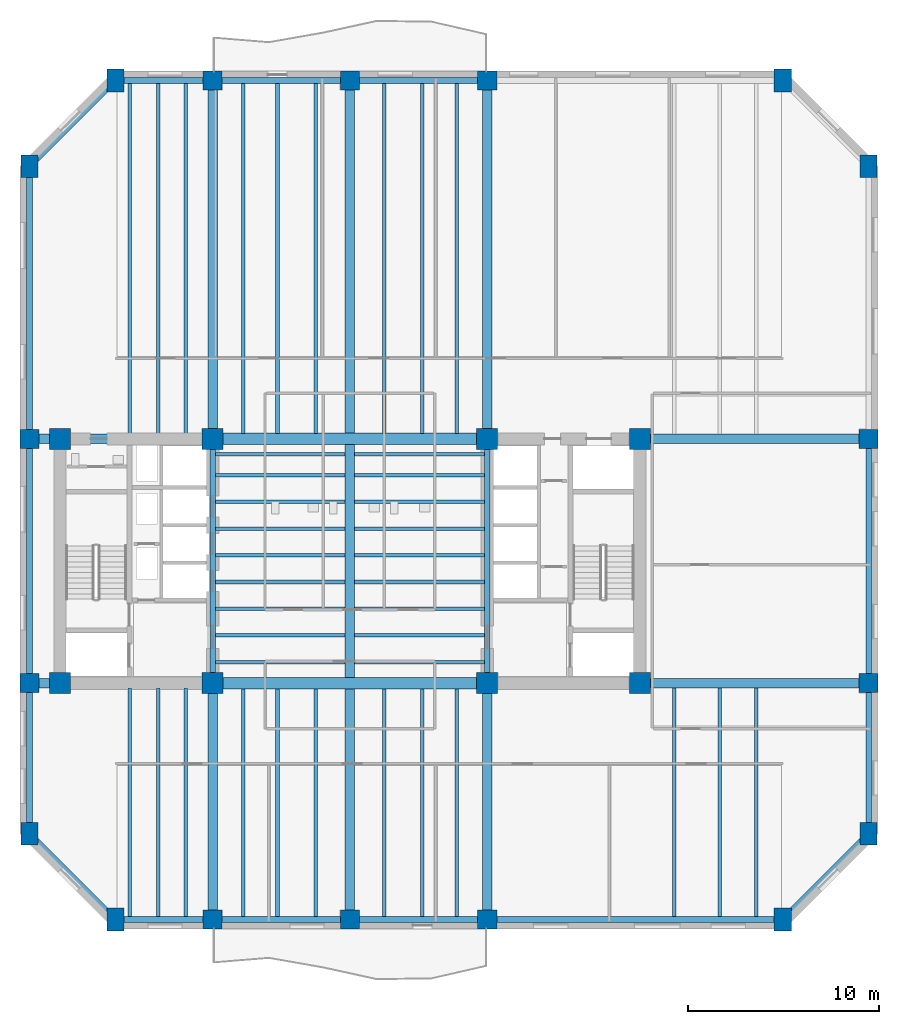
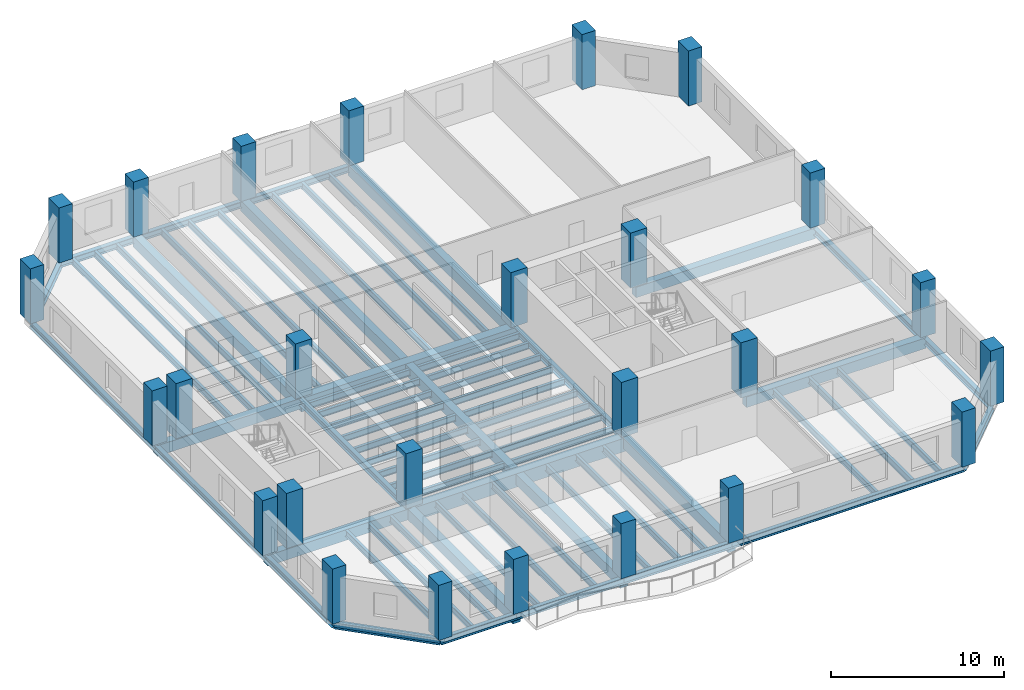
# One storey, part 1 of 8: 69 beams, 26 columns.
"""IFC4 building model written with IfcOpenShell, lengths in metres."""

from ifc_helpers import new_model, si_unit, direction, frame, origin, origin_2d, place, context, subcontext, project, spatial, rectangle, i_section, extrude, material, material_profile, profile_set, type_object, element, save


model = new_model("IFC4")

# Units and contexts
model_context = context("Model", 3, precision=1e-05, world=origin(), true_north=direction((0.0, 1.0)))
body_context = subcontext(model_context, "Body", "Model", "MODEL_VIEW")
ifc_project = project(units=[si_unit("LENGTHUNIT", "METRE"), si_unit("AREAUNIT", "SQUARE_METRE"), si_unit("VOLUMEUNIT", "CUBIC_METRE"), si_unit("PLANEANGLEUNIT", "RADIAN"), si_unit("MASSUNIT", "GRAM", prefix="KILO")], contexts=[model_context])

# Site, building, storey
site_placement = place(None, origin())
site = spatial("IfcSite", under=ifc_project, at=site_placement, CompositionType="ELEMENT")
building_placement = place(site_placement, origin())
building = spatial("IfcBuilding", under=site, at=building_placement, Name="Kranthara Brick Stack", CompositionType="ELEMENT")
storey_placement = place(building_placement, frame((0.0, 0.0, 82.800048828125)))
storey = spatial("IfcBuildingStorey", under=building, at=storey_placement, Name="L20", CompositionType="ELEMENT", Elevation=82.800048828125)

# Columns
ifc_material_1 = material(Name="Concrete C70/85", Category="concrete")
ifc_material_profile_1 = material_profile(ifc_material_1, rectangle(XDim=0.89990234375, YDim=1.199951171875, at=origin_2d()), Name="RC 900x1200")
ifc_profile_set_1 = profile_set([ifc_material_profile_1], Name="Concrete C70/85")
column_type_1 = type_object("IfcColumnType", Name="COL-CHAM-900x1200", PredefinedType="COLUMN", material=ifc_profile_set_1)
for number, where, z_axis, x_axis, name in (
    (1, (15.699951171875, 8.39990234375, 0.0), (0.0, 0.0, 1.0), (1.0, 0.0, 0.0), "L20 Column 09"),
    (2, (15.699951171875, 52.39990234375, 0.0), (0.0, 0.0, 1.0), (1.0, 0.0, 0.0), "L20 Column 10"),
    (3, (50.699951171875, 8.39990234375, 0.0), (0.0, 0.0, 1.0), (1.0, 0.0, 0.0), "L20 Column 17"),
    (4, (50.699951171875, 52.39990234375, 0.0), (0.0, 0.0, 1.0), (1.0, 0.0, 0.0), "L20 Column 18"),
    (5, (11.199951171875, 12.89990234375, 0.0), (0.0, 0.0, 1.0), (1.0, 0.0, 0.0), "L20 Column 19"),
    (6, (55.199951171875, 12.89990234375, 0.0), (0.0, 0.0, 1.0), (1.0, 0.0, 0.0), "L20 Column 20"),
    (7, (11.199951171875, 47.89990234375, 0.0), (0.0, 0.0, 1.0), (1.0, 0.0, 0.0), "L20 Column 25"),
    (8, (55.199951171875, 47.89990234375, 0.0), (0.0, 0.0, 1.0), (1.0, 0.0, 0.0), "L20 Column 26"),
):
    element("IfcColumn", number, at=place(storey_placement, frame(where, z_axis=z_axis, x_axis=x_axis)), inside=storey, type_object=column_type_1, Name=name, PredefinedType="COLUMN", context=body_context, shape_type="SweptSolid", body=[
        extrude(rectangle(XDim=0.89990234375, YDim=1.199951171875, at=origin_2d()), origin(), (0.0, 0.0, 1.0), 3.89990234375),
    ])
ifc_material_2 = material(Name="Concrete C70/85", Category="concrete")
ifc_material_profile_2 = material_profile(ifc_material_2, rectangle(XDim=1.10009765625, YDim=1.10009765625, at=origin_2d()), Name="RC 1100x1100")
ifc_profile_set_2 = profile_set([ifc_material_profile_2], Name="Concrete C70/85")
column_type_2 = type_object("IfcColumnType", Name="COL-CORE-1100", PredefinedType="COLUMN", material=ifc_profile_set_2)
for number, where, z_axis, x_axis, name in (
    (9, (12.800048828125, 20.800048828125, 0.0), (0.0, 0.0, 1.0), (1.0, 0.0, 0.0), "L20 Column 01"),
    (10, (20.800048828125, 20.800048828125, 0.0), (0.0, 0.0, 1.0), (1.0, 0.0, 0.0), "L20 Column 02"),
    (11, (12.800048828125, 33.60009765625, 0.0), (0.0, 0.0, 1.0), (1.0, 0.0, 0.0), "L20 Column 03"),
    (12, (20.800048828125, 33.60009765625, 0.0), (0.0, 0.0, 1.0), (1.0, 0.0, 0.0), "L20 Column 04"),
    (13, (35.199951171875, 20.800048828125, 0.0), (0.0, 0.0, 1.0), (1.0, 0.0, 0.0), "L20 Column 05"),
    (14, (43.199951171875, 20.800048828125, 0.0), (0.0, 0.0, 1.0), (1.0, 0.0, 0.0), "L20 Column 06"),
    (15, (35.199951171875, 33.60009765625, 0.0), (0.0, 0.0, 1.0), (1.0, 0.0, 0.0), "L20 Column 07"),
    (16, (43.199951171875, 33.60009765625, 0.0), (0.0, 0.0, 1.0), (1.0, 0.0, 0.0), "L20 Column 08"),
):
    element("IfcColumn", number, at=place(storey_placement, frame(where, z_axis=z_axis, x_axis=x_axis)), inside=storey, type_object=column_type_2, Name=name, PredefinedType="COLUMN", context=body_context, shape_type="SweptSolid", body=[
        extrude(rectangle(XDim=1.10009765625, YDim=1.10009765625, at=origin_2d()), origin(), (0.0, 0.0, 1.0), 3.89990234375),
    ])
ifc_material_3 = material(Name="Concrete C60/75", Category="concrete")
ifc_material_profile_3 = material_profile(ifc_material_3, rectangle(XDim=1.0, YDim=1.0, at=origin_2d()), Name="RC 1000x1000")
ifc_profile_set_3 = profile_set([ifc_material_profile_3], Name="Concrete C60/75")
column_type_3 = type_object("IfcColumnType", Name="COL-PER-1000", PredefinedType="COLUMN", material=ifc_profile_set_3)
for number, where, z_axis, x_axis, name in (
    (17, (20.800048828125, 8.39990234375, 0.0), (0.0, 0.0, 1.0), (1.0, 0.0, 0.0), "L20 Column 11"),
    (18, (20.800048828125, 52.39990234375, 0.0), (0.0, 0.0, 1.0), (1.0, 0.0, 0.0), "L20 Column 12"),
    (19, (28.0, 8.39990234375, 0.0), (0.0, 0.0, 1.0), (1.0, 0.0, 0.0), "L20 Column 13"),
    (20, (28.0, 52.39990234375, 0.0), (0.0, 0.0, 1.0), (1.0, 0.0, 0.0), "L20 Column 14"),
    (21, (35.199951171875, 8.39990234375, 0.0), (0.0, 0.0, 1.0), (1.0, 0.0, 0.0), "L20 Column 15"),
    (22, (35.199951171875, 52.39990234375, 0.0), (0.0, 0.0, 1.0), (1.0, 0.0, 0.0), "L20 Column 16"),
    (23, (11.199951171875, 20.800048828125, 0.0), (0.0, 0.0, 1.0), (1.0, 0.0, 0.0), "L20 Column 21"),
    (24, (55.199951171875, 20.800048828125, 0.0), (0.0, 0.0, 1.0), (1.0, 0.0, 0.0), "L20 Column 22"),
    (25, (11.199951171875, 33.60009765625, 0.0), (0.0, 0.0, 1.0), (1.0, 0.0, 0.0), "L20 Column 23"),
    (26, (55.199951171875, 33.60009765625, 0.0), (0.0, 0.0, 1.0), (1.0, 0.0, 0.0), "L20 Column 24"),
):
    element("IfcColumn", number, at=place(storey_placement, frame(where, z_axis=z_axis, x_axis=x_axis)), inside=storey, type_object=column_type_3, Name=name, PredefinedType="COLUMN", context=body_context, shape_type="SweptSolid", body=[
        extrude(rectangle(XDim=1.0, YDim=1.0, at=origin_2d()), origin(), (0.0, 0.0, 1.0), 3.89990234375),
    ])

# Beams
ifc_material_4 = material(Name="Concrete C60/75", Category="concrete")
ifc_material_profile_4 = material_profile(ifc_material_4, rectangle(XDim=0.60009765625, YDim=0.949951171875, at=origin_2d()), Name="RC 600x950")
ifc_profile_set_4 = profile_set([ifc_material_profile_4], Name="Concrete C60/75")
beam_type_1 = type_object("IfcBeamType", Name="BM-CPL-RC950", PredefinedType="LINTEL", material=ifc_profile_set_4)
for number, where, z_axis, x_axis, name in (
    (27, (20.800048828125, 20.800048828125, -0.775146484375), (1.0, 0.0, 0.0), (0.0, 1.0, 0.0), "L20 Core Coupling Beam 001"),
    (28, (20.800048828125, 33.60009765625, -0.775146484375), (1.0, 0.0, 0.0), (0.0, 1.0, 0.0), "L20 Core Coupling Beam 002"),
):
    element("IfcBeam", number, at=place(storey_placement, frame(where, z_axis=z_axis, x_axis=x_axis)), inside=storey, type_object=beam_type_1, Name=name, PredefinedType="LINTEL", context=body_context, shape_type="SweptSolid", body=[
        extrude(rectangle(XDim=0.60009765625, YDim=0.949951171875, at=origin_2d()), origin(), (0.0, 0.0, 1.0), 14.39990234375),
    ])
ifc_material_5 = material(Name="Post-tensioned concrete C45/55", Category="concrete")
ifc_material_profile_5 = material_profile(ifc_material_5, rectangle(XDim=0.5, YDim=0.75, at=origin_2d()), Name="PT 500x750")
ifc_profile_set_5 = profile_set([ifc_material_profile_5], Name="Post-tensioned concrete C45/55")
beam_type_2 = type_object("IfcBeamType", Name="BM-FLR-PT750", PredefinedType="BEAM", material=ifc_profile_set_5)
beam_1_placement = place(storey_placement, frame((20.800048828125, 8.39990234375, -0.675048828125), z_axis=(0.0, 1.0, 0.0), x_axis=(-1.0, 0.0, 0.0)))
element("IfcBeam", 29, at=beam_1_placement, inside=storey, type_object=beam_type_2, Name="L20 Primary Grid Girder 023", PredefinedType="BEAM", context=body_context, shape_type="SweptSolid", body=[
    extrude(rectangle(XDim=0.5, YDim=0.75, at=origin_2d()), origin(), (0.0, 0.0, 1.0), 12.400146484375),
])
beam_2_placement = place(storey_placement, frame((20.800048828125, 33.60009765625, -0.675048828125), z_axis=(0.0, 1.0, 0.0), x_axis=(-1.0, 0.0, 0.0)))
element("IfcBeam", 30, at=beam_2_placement, inside=storey, type_object=beam_type_2, Name="L20 Primary Grid Girder 024", PredefinedType="BEAM", context=body_context, shape_type="SweptSolid", body=[
    extrude(rectangle(XDim=0.5, YDim=0.75, at=origin_2d()), origin(), (0.0, 0.0, 1.0), 18.7998046875),
])
beam_3_placement = place(storey_placement, frame((28.0, 8.39990234375, -0.675048828125), z_axis=(0.0, 1.0, 0.0), x_axis=(-1.0, 0.0, 0.0)))
element("IfcBeam", 31, at=beam_3_placement, inside=storey, type_object=beam_type_2, Name="L20 Primary Grid Girder 025", PredefinedType="BEAM", context=body_context, shape_type="SweptSolid", body=[
    extrude(rectangle(XDim=0.5, YDim=0.75, at=origin_2d()), origin(), (0.0, 0.0, 1.0), 12.10009765625),
])
beam_4_placement = place(storey_placement, frame((28.0, 21.10009765625, -0.675048828125), z_axis=(0.0, 1.0, 0.0), x_axis=(-1.0, 0.0, 0.0)))
element("IfcBeam", 32, at=beam_4_placement, inside=storey, type_object=beam_type_2, Name="L20 Central Spine Girder 026", PredefinedType="BEAM", context=body_context, shape_type="SweptSolid", body=[
    extrude(rectangle(XDim=0.5, YDim=0.75, at=origin_2d()), origin(), (0.0, 0.0, 1.0), 12.199951171875),
])
beam_5_placement = place(storey_placement, frame((28.0, 33.89990234375, -0.675048828125), z_axis=(0.0, 1.0, 0.0), x_axis=(-1.0, 0.0, 0.0)))
element("IfcBeam", 33, at=beam_5_placement, inside=storey, type_object=beam_type_2, Name="L20 Primary Grid Girder 027", PredefinedType="BEAM", context=body_context, shape_type="SweptSolid", body=[
    extrude(rectangle(XDim=0.5, YDim=0.75, at=origin_2d()), origin(), (0.0, 0.0, 1.0), 18.5),
])
beam_6_placement = place(storey_placement, frame((35.199951171875, 8.39990234375, -0.675048828125), z_axis=(0.0, 1.0, 0.0), x_axis=(-1.0, 0.0, 0.0)))
element("IfcBeam", 34, at=beam_6_placement, inside=storey, type_object=beam_type_2, Name="L20 Primary Grid Girder 028", PredefinedType="BEAM", context=body_context, shape_type="SweptSolid", body=[
    extrude(rectangle(XDim=0.5, YDim=0.75, at=origin_2d()), origin(), (0.0, 0.0, 1.0), 12.400146484375),
])
beam_7_placement = place(storey_placement, frame((35.199951171875, 33.60009765625, -0.675048828125), z_axis=(0.0, 1.0, 0.0), x_axis=(-1.0, 0.0, 0.0)))
element("IfcBeam", 35, at=beam_7_placement, inside=storey, type_object=beam_type_2, Name="L20 Primary Grid Girder 029", PredefinedType="BEAM", context=body_context, shape_type="SweptSolid", body=[
    extrude(rectangle(XDim=0.5, YDim=0.75, at=origin_2d()), origin(), (0.0, 0.0, 1.0), 18.7998046875),
])
beam_8_placement = place(storey_placement, frame((11.199951171875, 20.800048828125, -0.675048828125), z_axis=(1.0, 0.0, 0.0), x_axis=(0.0, 1.0, 0.0)))
element("IfcBeam", 36, at=beam_8_placement, inside=storey, type_object=beam_type_2, Name="L20 Primary Grid Girder 030", PredefinedType="BEAM", context=body_context, shape_type="SweptSolid", body=[
    extrude(rectangle(XDim=0.5, YDim=0.75, at=origin_2d()), origin(), (0.0, 0.0, 1.0), 9.60009765625),
])
beam_9_placement = place(storey_placement, frame((43.199951171875, 20.800048828125, -0.675048828125), z_axis=(1.0, 0.0, 0.0), x_axis=(0.0, 1.0, 0.0)))
element("IfcBeam", 37, at=beam_9_placement, inside=storey, type_object=beam_type_2, Name="L20 Primary Grid Girder 031", PredefinedType="BEAM", context=body_context, shape_type="SweptSolid", body=[
    extrude(rectangle(XDim=0.5, YDim=0.75, at=origin_2d()), origin(), (0.0, 0.0, 1.0), 12.0),
])
beam_10_placement = place(storey_placement, frame((11.199951171875, 33.60009765625, -0.675048828125), z_axis=(1.0, 0.0, 0.0), x_axis=(0.0, 1.0, 0.0)))
element("IfcBeam", 38, at=beam_10_placement, inside=storey, type_object=beam_type_2, Name="L20 Primary Grid Girder 032", PredefinedType="BEAM", context=body_context, shape_type="SweptSolid", body=[
    extrude(rectangle(XDim=0.5, YDim=0.75, at=origin_2d()), origin(), (0.0, 0.0, 1.0), 9.60009765625),
])
beam_11_placement = place(storey_placement, frame((43.199951171875, 33.60009765625, -0.675048828125), z_axis=(1.0, 0.0, 0.0), x_axis=(0.0, 1.0, 0.0)))
element("IfcBeam", 39, at=beam_11_placement, inside=storey, type_object=beam_type_2, Name="L20 Primary Grid Girder 033", PredefinedType="BEAM", context=body_context, shape_type="SweptSolid", body=[
    extrude(rectangle(XDim=0.5, YDim=0.75, at=origin_2d()), origin(), (0.0, 0.0, 1.0), 12.0),
])
ifc_material_6 = material(Name="Steel S355", Category="steel")
ifc_material_profile_6 = material_profile(ifc_material_6, i_section(OverallWidth=0.18994140625, OverallDepth=0.449951171875, WebThickness=0.009521484375, FlangeThickness=0.0146484375, at=origin_2d()), Name="IPE 450")
ifc_profile_set_6 = profile_set([ifc_material_profile_6], Name="Steel S355")
beam_type_3 = type_object("IfcBeamType", Name="BM-JST-IPE450", PredefinedType="JOIST", material=ifc_profile_set_6)
for number, where, z_axis, x_axis, name in (
    (40, (20.949951171875, 21.89990234375, -0.525146484375), (1.0, 0.0, 0.0), (0.0, 1.0, 0.0), "L20 Central Floor Joist 034"),
    (41, (28.25, 21.89990234375, -0.525146484375), (1.0, 0.0, 0.0), (0.0, 1.0, 0.0), "L20 Central Floor Joist 035"),
    (42, (20.949951171875, 23.300048828125, -0.525146484375), (1.0, 0.0, 0.0), (0.0, 1.0, 0.0), "L20 Central Floor Joist 036"),
    (43, (28.25, 23.300048828125, -0.525146484375), (1.0, 0.0, 0.0), (0.0, 1.0, 0.0), "L20 Central Floor Joist 037"),
    (44, (20.949951171875, 24.699951171875, -0.525146484375), (1.0, 0.0, 0.0), (0.0, 1.0, 0.0), "L20 Central Floor Joist 038"),
    (45, (28.25, 24.699951171875, -0.525146484375), (1.0, 0.0, 0.0), (0.0, 1.0, 0.0), "L20 Central Floor Joist 039"),
    (46, (20.949951171875, 26.10009765625, -0.525146484375), (1.0, 0.0, 0.0), (0.0, 1.0, 0.0), "L20 Central Floor Joist 040"),
    (47, (28.25, 26.10009765625, -0.525146484375), (1.0, 0.0, 0.0), (0.0, 1.0, 0.0), "L20 Central Floor Joist 041"),
    (48, (20.949951171875, 27.5, -0.525146484375), (1.0, 0.0, 0.0), (0.0, 1.0, 0.0), "L20 Central Floor Joist 042"),
    (49, (28.25, 27.5, -0.525146484375), (1.0, 0.0, 0.0), (0.0, 1.0, 0.0), "L20 Central Floor Joist 043"),
    (50, (20.949951171875, 28.89990234375, -0.525146484375), (1.0, 0.0, 0.0), (0.0, 1.0, 0.0), "L20 Central Floor Joist 044"),
    (51, (28.25, 28.89990234375, -0.525146484375), (1.0, 0.0, 0.0), (0.0, 1.0, 0.0), "L20 Central Floor Joist 045"),
    (52, (20.949951171875, 30.300048828125, -0.525146484375), (1.0, 0.0, 0.0), (0.0, 1.0, 0.0), "L20 Central Floor Joist 046"),
    (53, (28.25, 30.300048828125, -0.525146484375), (1.0, 0.0, 0.0), (0.0, 1.0, 0.0), "L20 Central Floor Joist 047"),
    (54, (20.949951171875, 31.699951171875, -0.525146484375), (1.0, 0.0, 0.0), (0.0, 1.0, 0.0), "L20 Central Floor Joist 048"),
    (55, (28.25, 31.699951171875, -0.525146484375), (1.0, 0.0, 0.0), (0.0, 1.0, 0.0), "L20 Central Floor Joist 049"),
    (56, (20.949951171875, 32.800048828125, -0.525146484375), (1.0, 0.0, 0.0), (0.0, 1.0, 0.0), "L20 Central Floor Joist 050"),
    (57, (28.25, 32.800048828125, -0.525146484375), (1.0, 0.0, 0.0), (0.0, 1.0, 0.0), "L20 Central Floor Joist 051"),
):
    element("IfcBeam", number, at=place(storey_placement, frame(where, z_axis=z_axis, x_axis=x_axis)), inside=storey, type_object=beam_type_3, Name=name, PredefinedType="JOIST", context=body_context, shape_type="SweptSolid", body=[
        extrude(i_section(OverallWidth=0.18994140625, OverallDepth=0.449951171875, WebThickness=0.009521484375, FlangeThickness=0.0146484375, at=origin_2d()), origin(), (0.0, 0.0, 1.0), 6.800048828125),
    ])
beam_12_placement = place(storey_placement, frame((16.449951171875, 8.550048828125, -0.525146484375), z_axis=(0.0, 1.0, 0.0), x_axis=(-1.0, 0.0, 0.0)))
element("IfcBeam", 58, at=beam_12_placement, inside=storey, type_object=beam_type_3, Name="L20 South Wing Floor Joist 052", PredefinedType="JOIST", context=body_context, shape_type="SweptSolid", body=[
    extrude(i_section(OverallWidth=0.18994140625, OverallDepth=0.449951171875, WebThickness=0.009521484375, FlangeThickness=0.0146484375, at=origin_2d()), origin(), (0.0, 0.0, 1.0), 12.0),
])
beam_13_placement = place(storey_placement, frame((16.449951171875, 33.85009765625, -0.525146484375), z_axis=(0.0, 1.0, 0.0), x_axis=(-1.0, 0.0, 0.0)))
element("IfcBeam", 59, at=beam_13_placement, inside=storey, type_object=beam_type_3, Name="L20 North Wing Floor Joist 053", PredefinedType="JOIST", context=body_context, shape_type="SweptSolid", body=[
    extrude(i_section(OverallWidth=0.18994140625, OverallDepth=0.449951171875, WebThickness=0.009521484375, FlangeThickness=0.0146484375, at=origin_2d()), origin(), (0.0, 0.0, 1.0), 18.39990234375),
])
beam_14_placement = place(storey_placement, frame((17.949951171875, 8.550048828125, -0.525146484375), z_axis=(0.0, 1.0, 0.0), x_axis=(-1.0, 0.0, 0.0)))
element("IfcBeam", 60, at=beam_14_placement, inside=storey, type_object=beam_type_3, Name="L20 South Wing Floor Joist 054", PredefinedType="JOIST", context=body_context, shape_type="SweptSolid", body=[
    extrude(i_section(OverallWidth=0.18994140625, OverallDepth=0.449951171875, WebThickness=0.009521484375, FlangeThickness=0.0146484375, at=origin_2d()), origin(), (0.0, 0.0, 1.0), 12.0),
])
beam_15_placement = place(storey_placement, frame((17.949951171875, 33.85009765625, -0.525146484375), z_axis=(0.0, 1.0, 0.0), x_axis=(-1.0, 0.0, 0.0)))
element("IfcBeam", 61, at=beam_15_placement, inside=storey, type_object=beam_type_3, Name="L20 North Wing Floor Joist 055", PredefinedType="JOIST", context=body_context, shape_type="SweptSolid", body=[
    extrude(i_section(OverallWidth=0.18994140625, OverallDepth=0.449951171875, WebThickness=0.009521484375, FlangeThickness=0.0146484375, at=origin_2d()), origin(), (0.0, 0.0, 1.0), 18.39990234375),
])
beam_16_placement = place(storey_placement, frame((19.39990234375, 8.550048828125, -0.525146484375), z_axis=(0.0, 1.0, 0.0), x_axis=(-1.0, 0.0, 0.0)))
element("IfcBeam", 62, at=beam_16_placement, inside=storey, type_object=beam_type_3, Name="L20 South Wing Floor Joist 056", PredefinedType="JOIST", context=body_context, shape_type="SweptSolid", body=[
    extrude(i_section(OverallWidth=0.18994140625, OverallDepth=0.449951171875, WebThickness=0.009521484375, FlangeThickness=0.0146484375, at=origin_2d()), origin(), (0.0, 0.0, 1.0), 12.0),
])
beam_17_placement = place(storey_placement, frame((19.39990234375, 33.85009765625, -0.525146484375), z_axis=(0.0, 1.0, 0.0), x_axis=(-1.0, 0.0, 0.0)))
element("IfcBeam", 63, at=beam_17_placement, inside=storey, type_object=beam_type_3, Name="L20 North Wing Floor Joist 057", PredefinedType="JOIST", context=body_context, shape_type="SweptSolid", body=[
    extrude(i_section(OverallWidth=0.18994140625, OverallDepth=0.449951171875, WebThickness=0.009521484375, FlangeThickness=0.0146484375, at=origin_2d()), origin(), (0.0, 0.0, 1.0), 18.39990234375),
])
beam_18_placement = place(storey_placement, frame((22.39990234375, 8.550048828125, -0.525146484375), z_axis=(0.0, 1.0, 0.0), x_axis=(-1.0, 0.0, 0.0)))
element("IfcBeam", 64, at=beam_18_placement, inside=storey, type_object=beam_type_3, Name="L20 South Wing Floor Joist 058", PredefinedType="JOIST", context=body_context, shape_type="SweptSolid", body=[
    extrude(i_section(OverallWidth=0.18994140625, OverallDepth=0.449951171875, WebThickness=0.009521484375, FlangeThickness=0.0146484375, at=origin_2d()), origin(), (0.0, 0.0, 1.0), 11.949951171875),
])
beam_19_placement = place(storey_placement, frame((22.39990234375, 33.89990234375, -0.525146484375), z_axis=(0.0, 1.0, 0.0), x_axis=(-1.0, 0.0, 0.0)))
element("IfcBeam", 65, at=beam_19_placement, inside=storey, type_object=beam_type_3, Name="L20 North Wing Floor Joist 059", PredefinedType="JOIST", context=body_context, shape_type="SweptSolid", body=[
    extrude(i_section(OverallWidth=0.18994140625, OverallDepth=0.449951171875, WebThickness=0.009521484375, FlangeThickness=0.0146484375, at=origin_2d()), origin(), (0.0, 0.0, 1.0), 18.35009765625),
])
beam_20_placement = place(storey_placement, frame((24.199951171875, 8.550048828125, -0.525146484375), z_axis=(0.0, 1.0, 0.0), x_axis=(-1.0, 0.0, 0.0)))
element("IfcBeam", 66, at=beam_20_placement, inside=storey, type_object=beam_type_3, Name="L20 South Wing Floor Joist 060", PredefinedType="JOIST", context=body_context, shape_type="SweptSolid", body=[
    extrude(i_section(OverallWidth=0.18994140625, OverallDepth=0.449951171875, WebThickness=0.009521484375, FlangeThickness=0.0146484375, at=origin_2d()), origin(), (0.0, 0.0, 1.0), 11.949951171875),
])
beam_21_placement = place(storey_placement, frame((24.199951171875, 33.89990234375, -0.525146484375), z_axis=(0.0, 1.0, 0.0), x_axis=(-1.0, 0.0, 0.0)))
element("IfcBeam", 67, at=beam_21_placement, inside=storey, type_object=beam_type_3, Name="L20 North Wing Floor Joist 061", PredefinedType="JOIST", context=body_context, shape_type="SweptSolid", body=[
    extrude(i_section(OverallWidth=0.18994140625, OverallDepth=0.449951171875, WebThickness=0.009521484375, FlangeThickness=0.0146484375, at=origin_2d()), origin(), (0.0, 0.0, 1.0), 18.35009765625),
])
beam_22_placement = place(storey_placement, frame((26.199951171875, 8.550048828125, -0.525146484375), z_axis=(0.0, 1.0, 0.0), x_axis=(-1.0, 0.0, 0.0)))
element("IfcBeam", 68, at=beam_22_placement, inside=storey, type_object=beam_type_3, Name="L20 South Wing Floor Joist 062", PredefinedType="JOIST", context=body_context, shape_type="SweptSolid", body=[
    extrude(i_section(OverallWidth=0.18994140625, OverallDepth=0.449951171875, WebThickness=0.009521484375, FlangeThickness=0.0146484375, at=origin_2d()), origin(), (0.0, 0.0, 1.0), 11.949951171875),
])
beam_23_placement = place(storey_placement, frame((26.199951171875, 33.89990234375, -0.525146484375), z_axis=(0.0, 1.0, 0.0), x_axis=(-1.0, 0.0, 0.0)))
element("IfcBeam", 69, at=beam_23_placement, inside=storey, type_object=beam_type_3, Name="L20 North Wing Floor Joist 063", PredefinedType="JOIST", context=body_context, shape_type="SweptSolid", body=[
    extrude(i_section(OverallWidth=0.18994140625, OverallDepth=0.449951171875, WebThickness=0.009521484375, FlangeThickness=0.0146484375, at=origin_2d()), origin(), (0.0, 0.0, 1.0), 18.35009765625),
])
beam_24_placement = place(storey_placement, frame((29.800048828125, 8.550048828125, -0.525146484375), z_axis=(0.0, 1.0, 0.0), x_axis=(-1.0, 0.0, 0.0)))
element("IfcBeam", 70, at=beam_24_placement, inside=storey, type_object=beam_type_3, Name="L20 South Wing Floor Joist 064", PredefinedType="JOIST", context=body_context, shape_type="SweptSolid", body=[
    extrude(i_section(OverallWidth=0.18994140625, OverallDepth=0.449951171875, WebThickness=0.009521484375, FlangeThickness=0.0146484375, at=origin_2d()), origin(), (0.0, 0.0, 1.0), 11.949951171875),
])
beam_25_placement = place(storey_placement, frame((29.800048828125, 33.89990234375, -0.525146484375), z_axis=(0.0, 1.0, 0.0), x_axis=(-1.0, 0.0, 0.0)))
element("IfcBeam", 71, at=beam_25_placement, inside=storey, type_object=beam_type_3, Name="L20 North Wing Floor Joist 065", PredefinedType="JOIST", context=body_context, shape_type="SweptSolid", body=[
    extrude(i_section(OverallWidth=0.18994140625, OverallDepth=0.449951171875, WebThickness=0.009521484375, FlangeThickness=0.0146484375, at=origin_2d()), origin(), (0.0, 0.0, 1.0), 18.35009765625),
])
beam_26_placement = place(storey_placement, frame((31.800048828125, 8.550048828125, -0.525146484375), z_axis=(0.0, 1.0, 0.0), x_axis=(-1.0, 0.0, 0.0)))
element("IfcBeam", 72, at=beam_26_placement, inside=storey, type_object=beam_type_3, Name="L20 South Wing Floor Joist 066", PredefinedType="JOIST", context=body_context, shape_type="SweptSolid", body=[
    extrude(i_section(OverallWidth=0.18994140625, OverallDepth=0.449951171875, WebThickness=0.009521484375, FlangeThickness=0.0146484375, at=origin_2d()), origin(), (0.0, 0.0, 1.0), 11.949951171875),
])
beam_27_placement = place(storey_placement, frame((31.800048828125, 33.89990234375, -0.525146484375), z_axis=(0.0, 1.0, 0.0), x_axis=(-1.0, 0.0, 0.0)))
element("IfcBeam", 73, at=beam_27_placement, inside=storey, type_object=beam_type_3, Name="L20 North Wing Floor Joist 067", PredefinedType="JOIST", context=body_context, shape_type="SweptSolid", body=[
    extrude(i_section(OverallWidth=0.18994140625, OverallDepth=0.449951171875, WebThickness=0.009521484375, FlangeThickness=0.0146484375, at=origin_2d()), origin(), (0.0, 0.0, 1.0), 18.35009765625),
])
beam_28_placement = place(storey_placement, frame((33.60009765625, 8.550048828125, -0.525146484375), z_axis=(0.0, 1.0, 0.0), x_axis=(-1.0, 0.0, 0.0)))
element("IfcBeam", 74, at=beam_28_placement, inside=storey, type_object=beam_type_3, Name="L20 South Wing Floor Joist 068", PredefinedType="JOIST", context=body_context, shape_type="SweptSolid", body=[
    extrude(i_section(OverallWidth=0.18994140625, OverallDepth=0.449951171875, WebThickness=0.009521484375, FlangeThickness=0.0146484375, at=origin_2d()), origin(), (0.0, 0.0, 1.0), 11.949951171875),
])
beam_29_placement = place(storey_placement, frame((33.60009765625, 33.89990234375, -0.525146484375), z_axis=(0.0, 1.0, 0.0), x_axis=(-1.0, 0.0, 0.0)))
element("IfcBeam", 75, at=beam_29_placement, inside=storey, type_object=beam_type_3, Name="L20 North Wing Floor Joist 069", PredefinedType="JOIST", context=body_context, shape_type="SweptSolid", body=[
    extrude(i_section(OverallWidth=0.18994140625, OverallDepth=0.449951171875, WebThickness=0.009521484375, FlangeThickness=0.0146484375, at=origin_2d()), origin(), (0.0, 0.0, 1.0), 18.35009765625),
])
for number, where, z_axis, x_axis, name in (
    (76, (45.0, 8.550048828125, -0.525146484375), (0.0, 1.0, 0.0), (-1.0, 0.0, 0.0), "L20 South Wing Floor Joist 070"),
    (77, (47.39990234375, 8.550048828125, -0.525146484375), (0.0, 1.0, 0.0), (-1.0, 0.0, 0.0), "L20 South Wing Floor Joist 072"),
    (78, (49.300048828125, 8.550048828125, -0.525146484375), (0.0, 1.0, 0.0), (-1.0, 0.0, 0.0), "L20 South Wing Floor Joist 074"),
):
    element("IfcBeam", number, at=place(storey_placement, frame(where, z_axis=z_axis, x_axis=x_axis)), inside=storey, type_object=beam_type_3, Name=name, PredefinedType="JOIST", context=body_context, shape_type="SweptSolid", body=[
        extrude(i_section(OverallWidth=0.18994140625, OverallDepth=0.449951171875, WebThickness=0.009521484375, FlangeThickness=0.0146484375, at=origin_2d()), origin(), (0.0, 0.0, 1.0), 12.0),
    ])
ifc_material_7 = material(Name="Steel S355", Category="steel")
ifc_material_profile_7 = material_profile(ifc_material_7, i_section(OverallWidth=0.300048828125, OverallDepth=0.449951171875, WebThickness=0.013916015625, FlangeThickness=0.02587890625, at=origin_2d()), Name="HEB 450")
ifc_profile_set_7 = profile_set([ifc_material_profile_7], Name="Steel S355")
beam_type_4 = type_object("IfcBeamType", Name="BM-STL-HEB450", PredefinedType="SPANDREL", material=ifc_profile_set_7)
for number, where, z_axis, x_axis, name in (
    (79, (20.800048828125, 20.800048828125, -0.525146484375), (0.0, 1.0, 0.0), (-1.0, 0.0, 0.0), "L20 Core Edge Tie Beam 003"),
    (80, (35.199951171875, 20.800048828125, -0.525146484375), (0.0, 1.0, 0.0), (-1.0, 0.0, 0.0), "L20 Core Edge Tie Beam 004"),
):
    element("IfcBeam", number, at=place(storey_placement, frame(where, z_axis=z_axis, x_axis=x_axis)), inside=storey, type_object=beam_type_4, Name=name, PredefinedType="SPANDREL", context=body_context, shape_type="SweptSolid", body=[
        extrude(i_section(OverallWidth=0.300048828125, OverallDepth=0.449951171875, WebThickness=0.013916015625, FlangeThickness=0.02587890625, at=origin_2d()), origin(), (0.0, 0.0, 1.0), 12.800048828125),
    ])
beam_30_placement = place(storey_placement, frame((15.699951171875, 8.39990234375, -0.525146484375), z_axis=(1.0, 0.0, 0.0), x_axis=(0.0, 1.0, 0.0)))
element("IfcBeam", 81, at=beam_30_placement, inside=storey, type_object=beam_type_4, Name="L20 Perimeter Spandrel Beam 005", PredefinedType="SPANDREL", context=body_context, shape_type="SweptSolid", body=[
    extrude(i_section(OverallWidth=0.300048828125, OverallDepth=0.449951171875, WebThickness=0.013916015625, FlangeThickness=0.02587890625, at=origin_2d()), origin(), (0.0, 0.0, 1.0), 5.10009765625),
])
for number, where, z_axis, x_axis, name in (
    (82, (20.800048828125, 8.39990234375, -0.525146484375), (1.0, 0.0, 0.0), (0.0, 1.0, 0.0), "L20 Perimeter Spandrel Beam 006"),
    (83, (28.0, 8.39990234375, -0.525146484375), (1.0, 0.0, 0.0), (0.0, 1.0, 0.0), "L20 Perimeter Spandrel Beam 007"),
):
    element("IfcBeam", number, at=place(storey_placement, frame(where, z_axis=z_axis, x_axis=x_axis)), inside=storey, type_object=beam_type_4, Name=name, PredefinedType="SPANDREL", context=body_context, shape_type="SweptSolid", body=[
        extrude(i_section(OverallWidth=0.300048828125, OverallDepth=0.449951171875, WebThickness=0.013916015625, FlangeThickness=0.02587890625, at=origin_2d()), origin(), (0.0, 0.0, 1.0), 7.199951171875),
    ])
beam_31_placement = place(storey_placement, frame((35.199951171875, 8.39990234375, -0.525146484375), z_axis=(1.0, 0.0, 0.0), x_axis=(0.0, 1.0, 0.0)))
element("IfcBeam", 84, at=beam_31_placement, inside=storey, type_object=beam_type_4, Name="L20 Perimeter Spandrel Beam 008", PredefinedType="SPANDREL", context=body_context, shape_type="SweptSolid", body=[
    extrude(i_section(OverallWidth=0.300048828125, OverallDepth=0.449951171875, WebThickness=0.013916015625, FlangeThickness=0.02587890625, at=origin_2d()), origin(), (0.0, 0.0, 1.0), 15.5),
])
beam_32_placement = place(storey_placement, frame((15.699951171875, 52.39990234375, -0.525146484375), z_axis=(1.0, 0.0, 0.0), x_axis=(0.0, 1.0, 0.0)))
element("IfcBeam", 85, at=beam_32_placement, inside=storey, type_object=beam_type_4, Name="L20 Perimeter Spandrel Beam 009", PredefinedType="SPANDREL", context=body_context, shape_type="SweptSolid", body=[
    extrude(i_section(OverallWidth=0.300048828125, OverallDepth=0.449951171875, WebThickness=0.013916015625, FlangeThickness=0.02587890625, at=origin_2d()), origin(), (0.0, 0.0, 1.0), 5.10009765625),
])
for number, where, z_axis, x_axis, name in (
    (86, (20.800048828125, 52.39990234375, -0.525146484375), (1.0, 0.0, 0.0), (0.0, 1.0, 0.0), "L20 Perimeter Spandrel Beam 010"),
    (87, (28.0, 52.39990234375, -0.525146484375), (1.0, 0.0, 0.0), (0.0, 1.0, 0.0), "L20 Perimeter Spandrel Beam 011"),
):
    element("IfcBeam", number, at=place(storey_placement, frame(where, z_axis=z_axis, x_axis=x_axis)), inside=storey, type_object=beam_type_4, Name=name, PredefinedType="SPANDREL", context=body_context, shape_type="SweptSolid", body=[
        extrude(i_section(OverallWidth=0.300048828125, OverallDepth=0.449951171875, WebThickness=0.013916015625, FlangeThickness=0.02587890625, at=origin_2d()), origin(), (0.0, 0.0, 1.0), 7.199951171875),
    ])
beam_33_placement = place(storey_placement, frame((11.199951171875, 12.89990234375, -0.525146484375), z_axis=(0.0, 1.0, 0.0), x_axis=(-1.0, 0.0, 0.0)))
element("IfcBeam", 88, at=beam_33_placement, inside=storey, type_object=beam_type_4, Name="L20 Perimeter Spandrel Beam 013", PredefinedType="SPANDREL", context=body_context, shape_type="SweptSolid", body=[
    extrude(i_section(OverallWidth=0.300048828125, OverallDepth=0.449951171875, WebThickness=0.013916015625, FlangeThickness=0.02587890625, at=origin_2d()), origin(), (0.0, 0.0, 1.0), 7.900146484375),
])
beam_34_placement = place(storey_placement, frame((11.199951171875, 20.800048828125, -0.525146484375), z_axis=(0.0, 1.0, 0.0), x_axis=(-1.0, 0.0, 0.0)))
element("IfcBeam", 89, at=beam_34_placement, inside=storey, type_object=beam_type_4, Name="L20 Perimeter Spandrel Beam 014", PredefinedType="SPANDREL", context=body_context, shape_type="SweptSolid", body=[
    extrude(i_section(OverallWidth=0.300048828125, OverallDepth=0.449951171875, WebThickness=0.013916015625, FlangeThickness=0.02587890625, at=origin_2d()), origin(), (0.0, 0.0, 1.0), 12.800048828125),
])
beam_35_placement = place(storey_placement, frame((11.199951171875, 33.60009765625, -0.525146484375), z_axis=(0.0, 1.0, 0.0), x_axis=(-1.0, 0.0, 0.0)))
element("IfcBeam", 90, at=beam_35_placement, inside=storey, type_object=beam_type_4, Name="L20 Perimeter Spandrel Beam 015", PredefinedType="SPANDREL", context=body_context, shape_type="SweptSolid", body=[
    extrude(i_section(OverallWidth=0.300048828125, OverallDepth=0.449951171875, WebThickness=0.013916015625, FlangeThickness=0.02587890625, at=origin_2d()), origin(), (0.0, 0.0, 1.0), 14.2998046875),
])
beam_36_placement = place(storey_placement, frame((55.199951171875, 12.89990234375, -0.525146484375), z_axis=(0.0, 1.0, 0.0), x_axis=(-1.0, 0.0, 0.0)))
element("IfcBeam", 91, at=beam_36_placement, inside=storey, type_object=beam_type_4, Name="L20 Perimeter Spandrel Beam 016", PredefinedType="SPANDREL", context=body_context, shape_type="SweptSolid", body=[
    extrude(i_section(OverallWidth=0.300048828125, OverallDepth=0.449951171875, WebThickness=0.013916015625, FlangeThickness=0.02587890625, at=origin_2d()), origin(), (0.0, 0.0, 1.0), 7.900146484375),
])
beam_37_placement = place(storey_placement, frame((55.199951171875, 20.800048828125, -0.525146484375), z_axis=(0.0, 1.0, 0.0), x_axis=(-1.0, 0.0, 0.0)))
element("IfcBeam", 92, at=beam_37_placement, inside=storey, type_object=beam_type_4, Name="L20 Perimeter Spandrel Beam 017", PredefinedType="SPANDREL", context=body_context, shape_type="SweptSolid", body=[
    extrude(i_section(OverallWidth=0.300048828125, OverallDepth=0.449951171875, WebThickness=0.013916015625, FlangeThickness=0.02587890625, at=origin_2d()), origin(), (0.0, 0.0, 1.0), 12.800048828125),
])
for number, where, z_axis, x_axis, name in (
    (93, (15.699951171875, 8.39990234375, -0.525146484375), (-0.707106781187, 0.707106781187, 0.0), (-0.707106781187, -0.707106781187, 0.0), "L20 Chamfer Corner Spandrel 019"),
    (94, (50.699951171875, 8.39990234375, -0.525146484375), (0.707106781187, 0.707106781187, 0.0), (-0.707106781187, 0.707106781187, 0.0), "L20 Chamfer Corner Spandrel 020"),
    (95, (15.699951171875, 52.39990234375, -0.525146484375), (-0.707106781187, -0.707106781187, 0.0), (0.707106781187, -0.707106781187, 0.0), "L20 Chamfer Corner Spandrel 021"),
):
    element("IfcBeam", number, at=place(storey_placement, frame(where, z_axis=z_axis, x_axis=x_axis)), inside=storey, type_object=beam_type_4, Name=name, PredefinedType="SPANDREL", context=body_context, shape_type="SweptSolid", body=[
        extrude(i_section(OverallWidth=0.300048828125, OverallDepth=0.449951171875, WebThickness=0.013916015625, FlangeThickness=0.02587890625, at=origin_2d()), origin(), (0.0, 0.0, 1.0), 6.364013671875),
    ])

save(model, "model.ifc")
